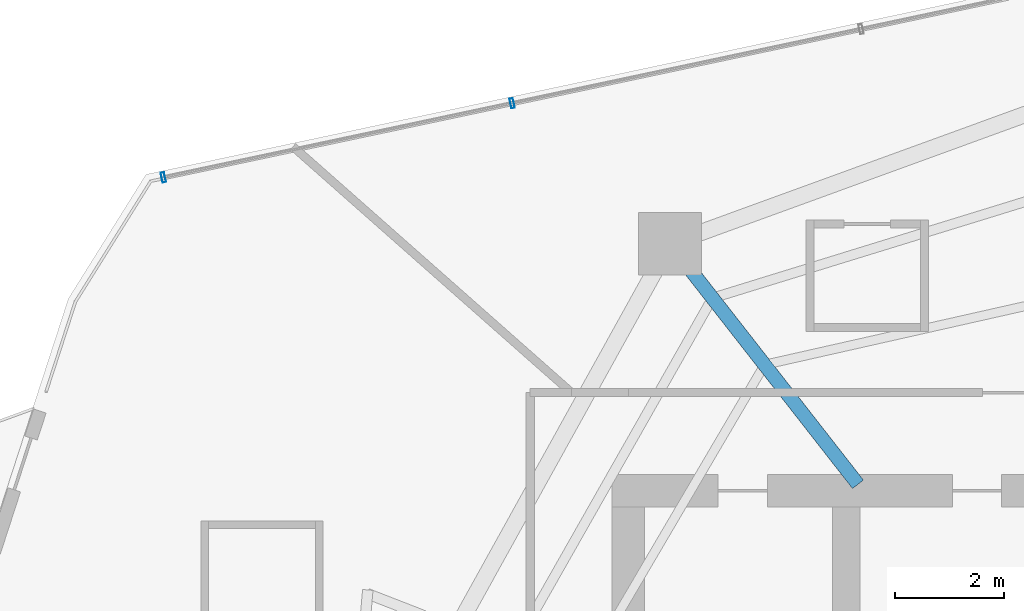
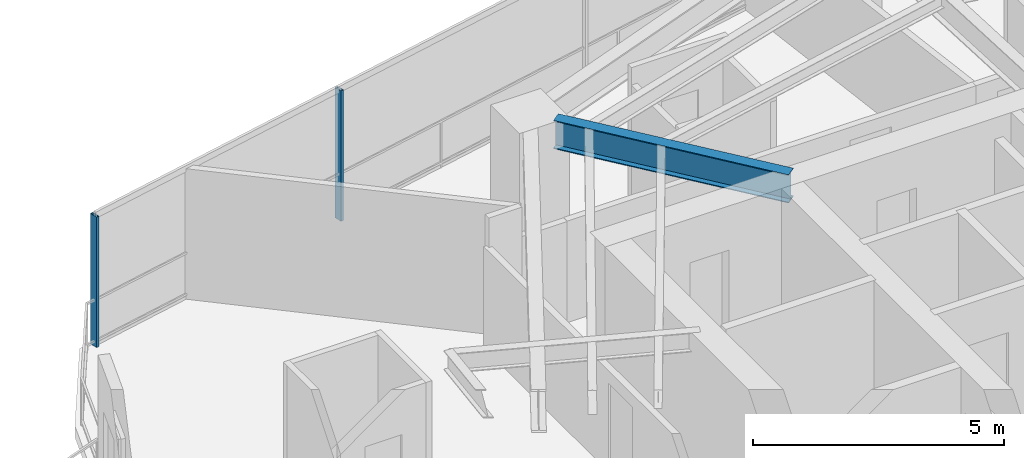
# One storey, part 15 of 27: 2 members, 1 beam, 1 element without a shape of its own.
"""IFC4 building model written with IfcOpenShell, lengths in metres."""

from ifc_helpers import new_model, si_unit, direction, frame, origin, origin_2d, place, context, subcontext, project, spatial, hollow_rectangle, i_section, extrude, material, layer, layer_set, material_profile, profile_set, type_object, element, aggregate, save


model = new_model("IFC4")

# Units and contexts
model_context = context("Model", 3, precision=1e-05, world=origin(), true_north=direction((0.0, 1.0)))
body_context = subcontext(model_context, "Body", "Model", "MODEL_VIEW")
ifc_project = project(units=[si_unit("LENGTHUNIT", "METRE"), si_unit("AREAUNIT", "SQUARE_METRE"), si_unit("VOLUMEUNIT", "CUBIC_METRE"), si_unit("PLANEANGLEUNIT", "RADIAN"), si_unit("MASSUNIT", "GRAM", prefix="KILO")], contexts=[model_context])

# Site, building, storey
site_placement = place(None, origin())
site = spatial("IfcSite", under=ifc_project, at=site_placement, CompositionType="ELEMENT")
building_placement = place(site_placement, origin())
building = spatial("IfcBuilding", under=site, at=building_placement, Name="Qarnah Convention Tower", CompositionType="ELEMENT")
storey_placement = place(building_placement, frame((0.0, 0.0, 110.85009765625)))
storey = spatial("IfcBuildingStorey", under=building, at=storey_placement, Name="L29", CompositionType="ELEMENT", Elevation=110.85009765625)

# Beam
ifc_material_1 = material(Name="Structural steel S355JR", Category="steel")
ifc_material_profile_1 = material_profile(ifc_material_1, i_section(OverallWidth=0.25390625, OverallDepth=0.68798828125, WebThickness=0.012939453125, FlangeThickness=0.02099609375, at=origin_2d()), Name="W690X152")
ifc_profile_set_1 = profile_set([ifc_material_profile_1], Name="Structural steel S355JR")
beam_type = type_object("IfcBeamType", Name="BM-RAD-W690", PredefinedType="BEAM", material=ifc_profile_set_1)
beam_placement = place(storey_placement, frame((31.013916015625, 34.318115234375, 2.825927734375), z_axis=(-0.61565061353, 0.788019239651, 0.0), x_axis=(-0.788019239651, -0.61565061353, 0.0)))
element("IfcBeam", 1, at=beam_placement, inside=storey, type_object=beam_type, Name="L29 beam BM-L29-RAD-04", PredefinedType="BEAM", context=body_context, shape_type="SweptSolid", body=[
    extrude(i_section(OverallWidth=0.25390625, OverallDepth=0.68798828125, WebThickness=0.012939453125, FlangeThickness=0.02099609375, at=origin_2d()), origin(), (0.0, 0.0, 1.0), 5.046630859375),
])

# Curtain wall, members
ifc_material_2 = material(Name="Tempered Low-E dark glass", Category="glass")
ifc_layer = layer(ifc_material_2, 0.169921875)
ifc_layer_set = layer_set([ifc_layer], Name="Tempered Low-E dark glass")
curtain_wall_type = type_object("IfcCurtainWallType", Name="CWS-02", PredefinedType="NOTDEFINED", material=ifc_layer_set)
curtain_wall_placement = place(storey_placement, origin())
curtain_wall = element("IfcCurtainWall", 2, at=curtain_wall_placement, inside=storey, type_object=curtain_wall_type, Name="L29 unitised curtain wall CW-L29-F1", PredefinedType="NOTDEFINED")
ifc_material_3 = material(Name="Black anodised aluminium", Category="aluminium")
ifc_material_profile_2 = material_profile(ifc_material_3, hollow_rectangle(XDim=0.06494140625, YDim=0.179931640625, WallThickness=0.00390625, at=origin_2d()), Name="MUL-65X180")
ifc_profile_set_2 = profile_set([ifc_material_profile_2], Name="Black anodised aluminium")
member_type = type_object("IfcMemberType", Name="MUL-T2", PredefinedType="MULLION", material=ifc_profile_set_2)
member_1_placement = place(storey_placement, frame((18.26904296875, 39.948974609375, 0.0), z_axis=(0.0, 0.0, 1.0), x_axis=(0.978150383892, 0.207898596655, 0.0)))
member_1 = element("IfcMember", 3, at=member_1_placement, type_object=member_type, Name="CW-L29-F1 mullion 1", PredefinedType="MULLION", context=body_context, shape_type="SweptSolid", body=[
    extrude(hollow_rectangle(XDim=0.06494140625, YDim=0.179931640625, WallThickness=0.00390625, at=origin_2d()), origin(), (0.0, 0.0, 1.0), 3.169921875),
])
member_2_placement = place(storey_placement, frame((24.669677734375, 41.309326171875, 0.0), z_axis=(0.0, 0.0, 1.0), x_axis=(0.978150383892, 0.207898596655, 0.0)))
member_2 = element("IfcMember", 4, at=member_2_placement, type_object=member_type, Name="CW-L29-F1 mullion 2", PredefinedType="MULLION", context=body_context, shape_type="SweptSolid", body=[
    extrude(hollow_rectangle(XDim=0.06494140625, YDim=0.179931640625, WallThickness=0.00390625, at=origin_2d()), origin(), (0.0, 0.0, 1.0), 3.169921875),
])
aggregate(curtain_wall, [member_1, member_2])

save(model, "model.ifc")
